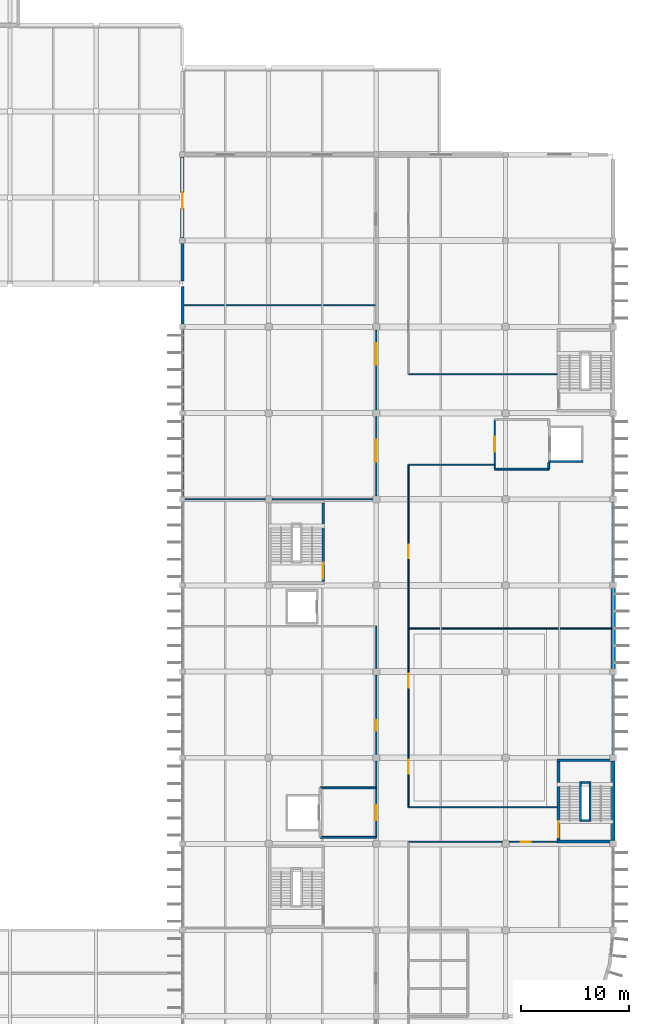
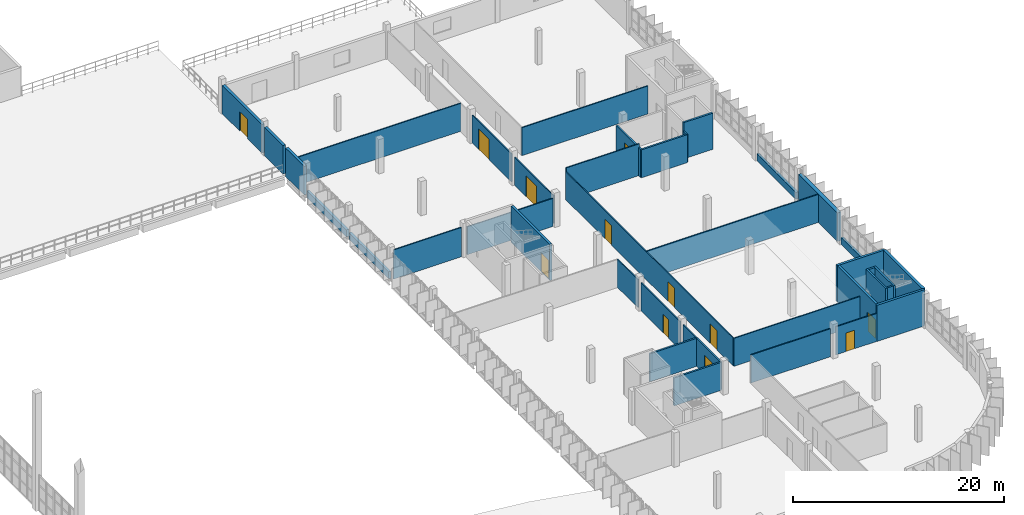
# One storey, part 52 of 66: 39 walls, 12 doors, 12 openings.
"""IFC4 building model written with IfcOpenShell, lengths in metres."""

from ifc_helpers import new_model, si_unit, direction, frame, frame_2d, origin, place, context, subcontext, project, spatial, rectangle, extrude, material, layer, layer_set, type_object, element, fill, save


model = new_model("IFC4")

# Units and contexts
model_context = context("Model", 3, precision=1e-05, world=origin(), true_north=direction((0.0, 1.0)))
body_context = subcontext(model_context, "Body", "Model", "MODEL_VIEW")
ifc_project = project(units=[si_unit("LENGTHUNIT", "METRE"), si_unit("AREAUNIT", "SQUARE_METRE"), si_unit("VOLUMEUNIT", "CUBIC_METRE"), si_unit("PLANEANGLEUNIT", "RADIAN"), si_unit("MASSUNIT", "GRAM", prefix="KILO")], contexts=[model_context])

# Site, building, storey
site_placement = place(None, origin())
site = spatial("IfcSite", under=ifc_project, at=site_placement, CompositionType="ELEMENT")
building_placement = place(site_placement, origin())
building = spatial("IfcBuilding", under=site, at=building_placement, Name="Drelvana Railside Aquatics Centre", CompositionType="ELEMENT")
storey_placement = place(building_placement, frame((0.0, 0.0, 10.199951171875)))
storey = spatial("IfcBuildingStorey", under=building, at=storey_placement, Name="L02", CompositionType="ELEMENT", Elevation=10.199951171875)

# Walls
ifc_material_1 = material(Name="Concrete blockwork compartment wall", Category="masonry")
ifc_layer_1 = layer(ifc_material_1, 0.18505859375, Name="Concrete blockwork compartment wall")
ifc_layer_set_1 = layer_set([ifc_layer_1], Name="Concrete blockwork compartment wall")
wall_type_1 = type_object("IfcWallType", Name="WL-COMP-185", PredefinedType="STANDARD", material=ifc_layer_set_1)
for number, where, z_axis, x_axis, name in (
    (1, (162.0, 32.60009765625, 0.0), (0.0, 0.0, 1.0), (-1.0, 0.0, 0.0), "Firefighting lobby FL-01 S wall (L02)"),
    (2, (156.800048828125, 37.199951171875, 0.0), (0.0, 0.0, 1.0), (1.0, 0.0, 0.0), "Firefighting lobby FL-01 N wall (L02)"),
):
    element("IfcWall", number, at=place(storey_placement, frame(where, z_axis=z_axis, x_axis=x_axis)), inside=storey, type_object=wall_type_1, Name=name, PredefinedType="STANDARD", context=body_context, shape_type="SweptSolid", body=[
        extrude(rectangle(XDim=5.199951171875, YDim=0.18505859375, at=frame_2d((2.60009765625, 0.0))), origin(), (0.0, 0.0, 1.0), 3.239990234375),
    ])

# Wall, opening, door
wall_1_placement = place(storey_placement, frame((162.0, 32.60009765625, 0.0), z_axis=(0.0, 0.0, 1.0), x_axis=(0.0, 1.0, 0.0)))
wall_1 = element("IfcWall", 3, at=wall_1_placement, inside=storey, type_object=wall_type_1, Name="Firefighting lobby FL-01 COR wall (L02)", PredefinedType="STANDARD", context=body_context, shape_type="SweptSolid", body=[
    extrude(rectangle(XDim=4.599853515625, YDim=0.18505859375, at=frame_2d((2.2998046875, 0.0))), origin(), (0.0, 0.0, 1.0), 3.239990234375),
])
opening_1_placement = place(wall_1_placement, frame((1.60009765625, 0.0, 0.0)))
opening_1 = element("IfcOpeningElement", 4, at=opening_1_placement, cuts=wall_1, Name="Opening D-03-048", PredefinedType="OPENING", context=body_context, shape_type="SweptSolid", body=[
    extrude(rectangle(XDim=1.39990234375, YDim=2.199951171875, at=frame_2d((0.699951171875, 1.10009765625))), frame((0.0, 0.1025390625, 0.0), z_axis=(0.0, -1.0, 0.0), x_axis=(1.0, 0.0, 0.0)), (0.0, 0.0, 1.0), 0.205078125),
])
ifc_material_2 = material(Name="Firefighting lobby door", Category="wood")
door_type_1 = type_object("IfcDoorType", Name="DR-INT-FFLOB-1400x2200", OperationType="DOUBLE_DOOR_SINGLE_SWING", PredefinedType="DOOR", material=ifc_material_2)
door_1_placement = place(opening_1_placement, origin())
door_1 = element("IfcDoor", 5, at=door_1_placement, inside=storey, type_object=door_type_1, Name="Firefighting lobby FL-01 door D-03-048", OperationType="DOUBLE_DOOR_SINGLE_SWING", OverallHeight=2.199951171875, OverallWidth=1.39990234375, PredefinedType="DOOR", context=body_context, shape_type="SweptSolid", body=[
    extrude(rectangle(XDim=1.39990234375, YDim=2.199951171875, at=frame_2d((0.699951171875, 1.10009765625))), frame((0.0, 0.02490234375, 0.0), z_axis=(0.0, -1.0, 0.0), x_axis=(1.0, 0.0, 0.0)), (0.0, 0.0, 1.0), 0.050048828125),
])
fill(opening_1, door_1)

# Wall
wall_2_placement = place(storey_placement, frame((178.0, 66.800048828125, 0.0), z_axis=(0.0, 0.0, 1.0), x_axis=(-1.0, 0.0, 0.0)))
element("IfcWall", 6, at=wall_2_placement, inside=storey, type_object=wall_type_1, Name="Firefighting lobby FL-02 S wall (L02)", PredefinedType="STANDARD", context=body_context, shape_type="SweptSolid", body=[
    extrude(rectangle(XDim=5.0, YDim=0.18505859375, at=frame_2d((2.5, 0.0))), origin(), (0.0, 0.0, 1.0), 3.239990234375),
])

# Wall, opening, door
wall_3_placement = place(storey_placement, frame((173.0, 66.800048828125, 0.0), z_axis=(0.0, 0.0, 1.0), x_axis=(0.0, 1.0, 0.0)))
wall_3 = element("IfcWall", 7, at=wall_3_placement, inside=storey, type_object=wall_type_1, Name="Firefighting lobby FL-02 COR wall (L02)", PredefinedType="STANDARD", context=body_context, shape_type="SweptSolid", body=[
    extrude(rectangle(XDim=4.599853515625, YDim=0.18505859375, at=frame_2d((2.2998046875, 0.0))), origin(), (0.0, 0.0, 1.0), 3.239990234375),
])
opening_2_placement = place(wall_3_placement, frame((1.60009765625, 0.0, 0.0)))
opening_2 = element("IfcOpeningElement", 8, at=opening_2_placement, cuts=wall_3, Name="Opening D-03-066", PredefinedType="OPENING", context=body_context, shape_type="SweptSolid", body=[
    extrude(rectangle(XDim=1.39990234375, YDim=2.199951171875, at=frame_2d((0.699951171875, 1.10009765625))), frame((0.0, 0.1025390625, 0.0), z_axis=(0.0, -1.0, 0.0), x_axis=(1.0, 0.0, 0.0)), (0.0, 0.0, 1.0), 0.205078125),
])
door_2_placement = place(opening_2_placement, origin())
door_2 = element("IfcDoor", 9, at=door_2_placement, inside=storey, type_object=door_type_1, Name="Firefighting lobby FL-02 door D-03-066", OperationType="DOUBLE_DOOR_SINGLE_SWING", OverallHeight=2.199951171875, OverallWidth=1.39990234375, PredefinedType="DOOR", context=body_context, shape_type="SweptSolid", body=[
    extrude(rectangle(XDim=1.39990234375, YDim=2.199951171875, at=frame_2d((0.699951171875, 1.10009765625))), frame((0.0, 0.02490234375, 0.0), z_axis=(0.0, -1.0, 0.0), x_axis=(1.0, 0.0, 0.0)), (0.0, 0.0, 1.0), 0.050048828125),
])
fill(opening_2, door_2)

# Wall
wall_4_placement = place(storey_placement, frame((178.0, 66.800048828125, 0.0), z_axis=(0.0, 0.0, 1.0), x_axis=(0.0, 1.0, 0.0)))
element("IfcWall", 10, at=wall_4_placement, inside=storey, type_object=wall_type_1, Name="Firefighting lobby FL-02 SHS wall (L02)", PredefinedType="STANDARD", context=body_context, shape_type="SweptSolid", body=[
    extrude(rectangle(XDim=0.599853515625, YDim=0.18505859375, at=frame_2d((0.2998046875, 0.0))), origin(), (0.0, 0.0, 1.0), 3.239990234375),
])

# Wall, opening, door
ifc_material_3 = material(Name="Concrete C40/50", Category="concrete")
ifc_layer_2 = layer(ifc_material_3, 0.25, Name="Concrete C40/50")
ifc_layer_set_2 = layer_set([ifc_layer_2], Name="Concrete C40/50")
wall_type_2 = type_object("IfcWallType", Name="WL-CORE-250", PredefinedType="SHEAR", material=ifc_layer_set_2)
wall_5_placement = place(storey_placement, frame((157.074951171875, 56.35009765625, 0.0), z_axis=(0.0, 0.0, 1.0), x_axis=(0.0, 1.0, 0.0)))
wall_5 = element("IfcWall", 11, at=wall_5_placement, inside=storey, type_object=wall_type_2, Name="Core 8 Federation Wing Central-West E core wall (L02)", PredefinedType="SHEAR", context=body_context, shape_type="SweptSolid", body=[
    extrude(rectangle(XDim=7.2998046875, YDim=0.25, at=frame_2d((3.64990234375, 0.0))), origin(), (0.0, 0.0, 1.0), 4.199951171875),
])
opening_3_placement = place(wall_5_placement, frame((0.25, 0.0, 0.0)))
opening_3 = element("IfcOpeningElement", 12, at=opening_3_placement, cuts=wall_5, Name="Opening D-01-074", PredefinedType="OPENING", context=body_context, shape_type="SweptSolid", body=[
    extrude(rectangle(XDim=1.449951171875, YDim=2.199951171875, at=frame_2d((0.72509765625, 1.10009765625))), frame((0.0, 0.135009765625, 0.0), z_axis=(0.0, -1.0, 0.0), x_axis=(1.0, 0.0, 0.0)), (0.0, 0.0, 1.0), 0.27001953125),
])
ifc_material_4 = material(Name="Fire-rated steel and vision-panel door", Category="steel")
door_type_2 = type_object("IfcDoorType", Name="DR-INT-STAIR-1450x2200", OperationType="DOUBLE_DOOR_SINGLE_SWING", PredefinedType="DOOR", material=ifc_material_4)
door_3_placement = place(opening_3_placement, origin())
door_3 = element("IfcDoor", 13, at=door_3_placement, inside=storey, type_object=door_type_2, Name="Stair ST-08 lobby door D-01-074", OperationType="DOUBLE_DOOR_SINGLE_SWING", OverallHeight=2.199951171875, OverallWidth=1.449951171875, PredefinedType="DOOR", context=body_context, shape_type="SweptSolid", body=[
    extrude(rectangle(XDim=1.449951171875, YDim=2.199951171875, at=frame_2d((0.72509765625, 1.10009765625))), frame((0.0, 0.02490234375, 0.0), z_axis=(0.0, -1.0, 0.0), x_axis=(1.0, 0.0, 0.0)), (0.0, 0.0, 1.0), 0.050048828125),
])
fill(opening_3, door_3)

# Walls
for number, where, z_axis, x_axis, name in (
    (14, (178.800048828125, 32.22509765625, 0.0), (0.0, 0.0, 1.0), (1.0, 0.0, 0.0), "Core 9 Federation Wing Avenue-South S core wall (L02)"),
    (15, (178.800048828125, 39.77490234375, 0.0), (0.0, 0.0, 1.0), (1.0, 0.0, 0.0), "Core 9 Federation Wing Avenue-South N core wall (L02)"),
):
    element("IfcWall", number, at=place(storey_placement, frame(where, z_axis=z_axis, x_axis=x_axis)), inside=storey, type_object=wall_type_2, Name=name, PredefinedType="SHEAR", context=body_context, shape_type="SweptSolid", body=[
        extrude(rectangle(XDim=5.199951171875, YDim=0.25, at=frame_2d((2.60009765625, 0.0))), origin(), (0.0, 0.0, 1.0), 4.199951171875),
    ])

# Wall, opening, door
wall_6_placement = place(storey_placement, frame((178.925048828125, 32.35009765625, 0.0), z_axis=(0.0, 0.0, 1.0), x_axis=(0.0, 1.0, 0.0)))
wall_6 = element("IfcWall", 16, at=wall_6_placement, inside=storey, type_object=wall_type_2, Name="Core 9 Federation Wing Avenue-South W core wall (L02)", PredefinedType="SHEAR", context=body_context, shape_type="SweptSolid", body=[
    extrude(rectangle(XDim=7.2998046875, YDim=0.25, at=frame_2d((3.64990234375, 0.0))), origin(), (0.0, 0.0, 1.0), 4.199951171875),
])
opening_4_placement = place(wall_6_placement, frame((0.25, 0.0, 0.0)))
opening_4 = element("IfcOpeningElement", 17, at=opening_4_placement, cuts=wall_6, Name="Opening D-01-086", PredefinedType="OPENING", context=body_context, shape_type="SweptSolid", body=[
    extrude(rectangle(XDim=1.449951171875, YDim=2.199951171875, at=frame_2d((0.72509765625, 1.10009765625))), frame((0.0, 0.135009765625, 0.0), z_axis=(0.0, -1.0, 0.0), x_axis=(1.0, 0.0, 0.0)), (0.0, 0.0, 1.0), 0.27001953125),
])
door_4_placement = place(opening_4_placement, origin())
door_4 = element("IfcDoor", 18, at=door_4_placement, inside=storey, type_object=door_type_2, Name="Stair ST-09 lobby door D-01-086", OperationType="DOUBLE_DOOR_SINGLE_SWING", OverallHeight=2.199951171875, OverallWidth=1.449951171875, PredefinedType="DOOR", context=body_context, shape_type="SweptSolid", body=[
    extrude(rectangle(XDim=1.449951171875, YDim=2.199951171875, at=frame_2d((0.72509765625, 1.10009765625))), frame((0.0, 0.02490234375, 0.0), z_axis=(0.0, -1.0, 0.0), x_axis=(1.0, 0.0, 0.0)), (0.0, 0.0, 1.0), 0.050048828125),
])
fill(opening_4, door_4)

# Walls
ifc_layer_3 = layer(ifc_material_3, 0.300048828125, Name="Concrete C40/50")
ifc_layer_set_3 = layer_set([ifc_layer_3], Name="Concrete C40/50")
wall_type_3 = type_object("IfcWallType", Name="WL-CORE-300", PredefinedType="SHEAR", material=ifc_layer_set_3)
wall_7_placement = place(storey_placement, frame((184.0, 32.2958984375, 0.0), z_axis=(0.0, 0.0, 1.0), x_axis=(0.0, 1.0, 0.0)))
element("IfcWall", 19, at=wall_7_placement, inside=storey, type_object=wall_type_3, Name="Core east avenue shear wall 32 (L02)", PredefinedType="SHEAR", context=body_context, shape_type="SweptSolid", body=[
    extrude(rectangle(XDim=7.408203125, YDim=0.300048828125, at=frame_2d((3.7041015625, 0.0))), origin(), (0.0, 0.0, 1.0), 4.199951171875),
])
ifc_material_5 = material(Name="Acoustic twin-stud gypsum partition", Category="gypsum")
ifc_layer_4 = layer(ifc_material_5, 0.1201171875, Name="Acoustic twin-stud gypsum partition")
ifc_layer_set_4 = layer_set([ifc_layer_4], Name="Acoustic twin-stud gypsum partition")
wall_type_4 = type_object("IfcWallType", Name="WL-DRY-120", PredefinedType="PARTITIONING", material=ifc_layer_set_4)
wall_8_placement = place(storey_placement, frame((162.0, 37.199951171875, 0.0), z_axis=(0.0, 0.0, 1.0), x_axis=(0.0, 1.0, 0.0)))
element("IfcWall", 20, at=wall_8_placement, inside=storey, type_object=wall_type_4, Name="V5 L02 west corridor wall", PredefinedType="PARTITIONING", context=body_context, shape_type="SweptSolid", body=[
    extrude(rectangle(XDim=2.498046875, YDim=0.1201171875, at=frame_2d((1.2490234375, 0.0))), origin(), (0.0, 0.0, 1.0), 3.239990234375),
])

# Wall, opening, door
wall_9_placement = place(storey_placement, frame((162.0, 40.302001953125, 0.0), z_axis=(0.0, 0.0, 1.0), x_axis=(0.0, 1.0, 0.0)))
wall_9 = element("IfcWall", 21, at=wall_9_placement, inside=storey, type_object=wall_type_4, Name="V5 L02 west corridor wall", PredefinedType="PARTITIONING", context=body_context, shape_type="SweptSolid", body=[
    extrude(rectangle(XDim=7.39599609375, YDim=0.1201171875, at=frame_2d((3.697998046875, 0.0))), origin(), (0.0, 0.0, 1.0), 3.239990234375),
])
opening_5_placement = place(wall_9_placement, frame((2.197998046875, 0.0, 0.0)))
opening_5 = element("IfcOpeningElement", 22, at=opening_5_placement, cuts=wall_9, Name="Opening D-09-225", PredefinedType="OPENING", context=body_context, shape_type="SweptSolid", body=[
    extrude(rectangle(XDim=1.0, YDim=2.14990234375, at=frame_2d((0.5, 1.074951171875))), frame((0.0, 0.070068359375, 0.0), z_axis=(0.0, -1.0, 0.0), x_axis=(1.0, 0.0, 0.0)), (0.0, 0.0, 1.0), 0.14013671875),
])
ifc_material_6 = material(Name="Hardwood acoustic room door", Category="wood")
door_type_3 = type_object("IfcDoorType", Name="DR-INT-ROOM-1000x2150", OperationType="NOTDEFINED", PredefinedType="DOOR", material=ifc_material_6)
door_5_placement = place(opening_5_placement, origin())
door_5 = element("IfcDoor", 23, at=door_5_placement, inside=storey, type_object=door_type_3, Name="Yoga studio door D-09-225", OperationType="SINGLE_SWING_RIGHT", OverallHeight=2.14990234375, OverallWidth=1.0, PredefinedType="DOOR", context=body_context, shape_type="SweptSolid", body=[
    extrude(rectangle(XDim=1.0, YDim=2.14990234375, at=frame_2d((0.5, 1.074951171875))), frame((0.0, 0.02490234375, 0.0), z_axis=(0.0, -1.0, 0.0), x_axis=(1.0, 0.0, 0.0)), (0.0, 0.0, 1.0), 0.050048828125),
])
fill(opening_5, door_5)

# Wall
wall_10_placement = place(storey_placement, frame((162.0, 48.302001953125, 0.0), z_axis=(0.0, 0.0, 1.0), x_axis=(0.0, 1.0, 0.0)))
element("IfcWall", 24, at=wall_10_placement, inside=storey, type_object=wall_type_4, Name="V5 L02 west corridor wall", PredefinedType="PARTITIONING", context=body_context, shape_type="SweptSolid", body=[
    extrude(rectangle(XDim=3.89794921875, YDim=0.1201171875, at=frame_2d((1.948974609375, 0.0))), origin(), (0.0, 0.0, 1.0), 3.239990234375),
])

# Wall, opening, door
wall_11_placement = place(storey_placement, frame((162.0, 64.302001953125, 0.0), z_axis=(0.0, 0.0, 1.0), x_axis=(0.0, 1.0, 0.0)))
wall_11 = element("IfcWall", 25, at=wall_11_placement, inside=storey, type_object=wall_type_4, Name="V5 L02 west corridor wall", PredefinedType="PARTITIONING", context=body_context, shape_type="SweptSolid", body=[
    extrude(rectangle(XDim=7.39599609375, YDim=0.1201171875, at=frame_2d((3.697998046875, 0.0))), origin(), (0.0, 0.0, 1.0), 3.239990234375),
])
opening_6_placement = place(wall_11_placement, frame((3.197998046875, 0.0, 0.0)))
opening_6 = element("IfcOpeningElement", 26, at=opening_6_placement, cuts=wall_11, Name="Opening D-06-226", PredefinedType="OPENING", context=body_context, shape_type="SweptSolid", body=[
    extrude(rectangle(XDim=2.0, YDim=2.39990234375, at=frame_2d((1.0, 1.199951171875))), frame((0.0, 0.070068359375, 0.0), z_axis=(0.0, -1.0, 0.0), x_axis=(1.0, 0.0, 0.0)), (0.0, 0.0, 1.0), 0.14013671875),
])
ifc_material_7 = material(Name="Glazed bronze-aluminium concourse door", Category="aluminium")
door_type_4 = type_object("IfcDoorType", Name="DR-INT-HALL-2000x2400", OperationType="DOUBLE_DOOR_SINGLE_SWING", PredefinedType="DOOR", material=ifc_material_7)
door_6_placement = place(opening_6_placement, origin())
door_6 = element("IfcDoor", 27, at=door_6_placement, inside=storey, type_object=door_type_4, Name="Relaxation tea lounge south door D-06-226", OperationType="DOUBLE_DOOR_SINGLE_SWING", OverallHeight=2.39990234375, OverallWidth=2.0, PredefinedType="DOOR", context=body_context, shape_type="SweptSolid", body=[
    extrude(rectangle(XDim=2.0, YDim=2.39990234375, at=frame_2d((1.0, 1.199951171875))), frame((0.0, 0.02490234375, 0.0), z_axis=(0.0, -1.0, 0.0), x_axis=(1.0, 0.0, 0.0)), (0.0, 0.0, 1.0), 0.050048828125),
])
fill(opening_6, door_6)

wall_12_placement = place(storey_placement, frame((162.0, 72.302001953125, 0.0), z_axis=(0.0, 0.0, 1.0), x_axis=(0.0, 1.0, 0.0)))
wall_12 = element("IfcWall", 28, at=wall_12_placement, inside=storey, type_object=wall_type_4, Name="V5 L02 west corridor wall", PredefinedType="PARTITIONING", context=body_context, shape_type="SweptSolid", body=[
    extrude(rectangle(XDim=7.39599609375, YDim=0.1201171875, at=frame_2d((3.697998046875, 0.0))), origin(), (0.0, 0.0, 1.0), 3.239990234375),
])
opening_7_placement = place(wall_12_placement, frame((4.197998046875, 0.0, 0.0)))
opening_7 = element("IfcOpeningElement", 29, at=opening_7_placement, cuts=wall_12, Name="Opening D-06-227", PredefinedType="OPENING", context=body_context, shape_type="SweptSolid", body=[
    extrude(rectangle(XDim=2.0, YDim=2.39990234375, at=frame_2d((1.0, 1.199951171875))), frame((0.0, 0.070068359375, 0.0), z_axis=(0.0, -1.0, 0.0), x_axis=(1.0, 0.0, 0.0)), (0.0, 0.0, 1.0), 0.14013671875),
])
door_7_placement = place(opening_7_placement, origin())
door_7 = element("IfcDoor", 30, at=door_7_placement, inside=storey, type_object=door_type_4, Name="Relaxation tea lounge north door D-06-227", OperationType="DOUBLE_DOOR_SINGLE_SWING", OverallHeight=2.39990234375, OverallWidth=2.0, PredefinedType="DOOR", context=body_context, shape_type="SweptSolid", body=[
    extrude(rectangle(XDim=2.0, YDim=2.39990234375, at=frame_2d((1.0, 1.199951171875))), frame((0.0, 0.02490234375, 0.0), z_axis=(0.0, -1.0, 0.0), x_axis=(1.0, 0.0, 0.0)), (0.0, 0.0, 1.0), 0.050048828125),
])
fill(opening_7, door_7)

# Walls
wall_13_placement = place(storey_placement, frame((144.251953125, 64.0, 0.0), z_axis=(0.0, 0.0, 1.0), x_axis=(1.0, 0.0, 0.0)))
element("IfcWall", 31, at=wall_13_placement, inside=storey, type_object=wall_type_4, Name="V5 L02 C8 alcove N wall", PredefinedType="PARTITIONING", context=body_context, shape_type="SweptSolid", body=[
    extrude(rectangle(XDim=7.446044921875, YDim=0.1201171875, at=frame_2d((3.72314453125, 0.0))), origin(), (0.0, 0.0, 1.0), 3.39013671875),
])
wall_14_placement = place(storey_placement, frame((152.302001953125, 64.0, 0.0), z_axis=(0.0, 0.0, 1.0), x_axis=(1.0, 0.0, 0.0)))
element("IfcWall", 32, at=wall_14_placement, inside=storey, type_object=wall_type_4, Name="V5 L02 C8 alcove N wall", PredefinedType="PARTITIONING", context=body_context, shape_type="SweptSolid", body=[
    extrude(rectangle(XDim=9.39599609375, YDim=0.1201171875, at=frame_2d((4.697998046875, 0.0))), origin(), (0.0, 0.0, 1.0), 3.239990234375),
])
wall_15_placement = place(storey_placement, frame((144.14990234375, 82.0, 0.0), z_axis=(0.0, 0.0, 1.0), x_axis=(1.0, 0.0, 0.0)))
element("IfcWall", 33, at=wall_15_placement, inside=storey, type_object=wall_type_4, Name="V5 L02 west room divider", PredefinedType="PARTITIONING", context=body_context, shape_type="SweptSolid", body=[
    extrude(rectangle(XDim=17.85009765625, YDim=0.1201171875, at=frame_2d((8.925048828125, 0.0))), origin(), (0.0, 0.0, 1.0), 3.239990234375),
])

# Wall, openings, doors
wall_16_placement = place(storey_placement, frame((165.0, 35.39990234375, 0.0), z_axis=(0.0, 0.0, 1.0), x_axis=(0.0, 1.0, 0.0)))
wall_16 = element("IfcWall", 34, at=wall_16_placement, inside=storey, type_object=wall_type_4, Name="V5 L02 east corridor wall", PredefinedType="PARTITIONING", context=body_context, shape_type="SweptSolid", body=[
    extrude(rectangle(XDim=31.800048828125, YDim=0.1201171875, at=frame_2d((15.89990234375, 0.0))), origin(), (0.0, 0.0, 1.0), 3.239990234375),
])
opening_8_placement = place(wall_16_placement, frame((3.10009765625, 0.0, 0.0)))
opening_8 = element("IfcOpeningElement", 35, at=opening_8_placement, cuts=wall_16, Name="Opening D-14-232", PredefinedType="OPENING", context=body_context, shape_type="SweptSolid", body=[
    extrude(rectangle(XDim=1.300048828125, YDim=2.25, at=frame_2d((0.64990234375, 1.125))), frame((0.0, 0.070068359375, 0.0), z_axis=(0.0, -1.0, 0.0), x_axis=(1.0, 0.0, 0.0)), (0.0, 0.0, 1.0), 0.14013671875),
])
opening_9_placement = place(wall_16_placement, frame((11.10009765625, 0.0, 0.0)))
opening_9 = element("IfcOpeningElement", 36, at=opening_9_placement, cuts=wall_16, Name="Opening D-14-233", PredefinedType="OPENING", context=body_context, shape_type="SweptSolid", body=[
    extrude(rectangle(XDim=1.300048828125, YDim=2.25, at=frame_2d((0.64990234375, 1.125))), frame((0.0, 0.070068359375, 0.0), z_axis=(0.0, -1.0, 0.0), x_axis=(1.0, 0.0, 0.0)), (0.0, 0.0, 1.0), 0.14013671875),
])
opening_10_placement = place(wall_16_placement, frame((23.10009765625, 0.0, 0.0)))
opening_10 = element("IfcOpeningElement", 37, at=opening_10_placement, cuts=wall_16, Name="Opening D-20-234", PredefinedType="OPENING", context=body_context, shape_type="SweptSolid", body=[
    extrude(rectangle(XDim=1.25, YDim=2.25, at=frame_2d((0.625, 1.125))), frame((0.0, 0.070068359375, 0.0), z_axis=(0.0, -1.0, 0.0), x_axis=(1.0, 0.0, 0.0)), (0.0, 0.0, 1.0), 0.14013671875),
])
ifc_material_8 = material(Name="Hydrotherapy glazed suite door", Category="wood")
door_type_5 = type_object("IfcDoorType", Name="DR-INT-SPA-1250x2250", OperationType="NOTDEFINED", PredefinedType="DOOR", material=ifc_material_8)
door_8_placement = place(opening_10_placement, origin())
door_8 = element("IfcDoor", 38, at=door_8_placement, inside=storey, type_object=door_type_5, Name="Sauna and steam suite door D-20-234", OperationType="SINGLE_SWING_LEFT", OverallHeight=2.25, OverallWidth=1.25, PredefinedType="DOOR", context=body_context, shape_type="SweptSolid", body=[
    extrude(rectangle(XDim=1.25, YDim=2.25, at=frame_2d((0.625, 1.125))), frame((0.0, 0.02490234375, 0.0), z_axis=(0.0, -1.0, 0.0), x_axis=(1.0, 0.0, 0.0)), (0.0, 0.0, 1.0), 0.050048828125),
])
fill(opening_10, door_8)
ifc_material_9 = material(Name="Tempered glass wellness spa door", Category="glass")
door_type_6 = type_object("IfcDoorType", Name="DR-INT-SPA-1300x2250", OperationType="NOTDEFINED", PredefinedType="DOOR", material=ifc_material_9)
door_9_placement = place(opening_8_placement, origin())
door_9 = element("IfcDoor", 39, at=door_9_placement, inside=storey, type_object=door_type_6, Name="Thermal wellness spa south door D-14-232", OperationType="SINGLE_SWING_LEFT", OverallHeight=2.25, OverallWidth=1.300048828125, PredefinedType="DOOR", context=body_context, shape_type="SweptSolid", body=[
    extrude(rectangle(XDim=1.300048828125, YDim=2.25, at=frame_2d((0.64990234375, 1.125))), frame((0.0, 0.02490234375, 0.0), z_axis=(0.0, -1.0, 0.0), x_axis=(1.0, 0.0, 0.0)), (0.0, 0.0, 1.0), 0.050048828125),
])
fill(opening_8, door_9)
door_10_placement = place(opening_9_placement, origin())
door_10 = element("IfcDoor", 40, at=door_10_placement, inside=storey, type_object=door_type_6, Name="Thermal wellness spa north door D-14-233", OperationType="SINGLE_SWING_RIGHT", OverallHeight=2.25, OverallWidth=1.300048828125, PredefinedType="DOOR", context=body_context, shape_type="SweptSolid", body=[
    extrude(rectangle(XDim=1.300048828125, YDim=2.25, at=frame_2d((0.64990234375, 1.125))), frame((0.0, 0.02490234375, 0.0), z_axis=(0.0, -1.0, 0.0), x_axis=(1.0, 0.0, 0.0)), (0.0, 0.0, 1.0), 0.050048828125),
])
fill(opening_9, door_10)

# Wall
wall_17_placement = place(storey_placement, frame((165.0, 32.199951171875, 0.0), z_axis=(0.0, 0.0, 1.0), x_axis=(1.0, 0.0, 0.0)))
element("IfcWall", 41, at=wall_17_placement, inside=storey, type_object=wall_type_4, Name="L02 C9 branch S wall", PredefinedType="PARTITIONING", context=body_context, shape_type="SweptSolid", body=[
    extrude(rectangle(XDim=8.697998046875, YDim=0.1201171875, at=frame_2d((4.34912109375, 0.0))), origin(), (0.0, 0.0, 1.0), 3.239990234375),
])

# Wall, opening, door
wall_18_placement = place(storey_placement, frame((174.302001953125, 32.199951171875, 0.0), z_axis=(0.0, 0.0, 1.0), x_axis=(1.0, 0.0, 0.0)))
wall_18 = element("IfcWall", 42, at=wall_18_placement, inside=storey, type_object=wall_type_4, Name="L02 C9 branch S wall", PredefinedType="PARTITIONING", context=body_context, shape_type="SweptSolid", body=[
    extrude(rectangle(XDim=4.498046875, YDim=0.1201171875, at=frame_2d((2.2490234375, 0.0))), origin(), (0.0, 0.0, 1.0), 3.239990234375),
])
opening_11_placement = place(wall_18_placement, frame((1.097900390625, 0.0, 0.0)))
opening_11 = element("IfcOpeningElement", 43, at=opening_11_placement, cuts=wall_18, Name="Opening D-10-237", PredefinedType="OPENING", context=body_context, shape_type="SweptSolid", body=[
    extrude(rectangle(XDim=0.949951171875, YDim=2.14990234375, at=frame_2d((0.47509765625, 1.074951171875))), frame((0.0, 0.070068359375, 0.0), z_axis=(0.0, -1.0, 0.0), x_axis=(1.0, 0.0, 0.0)), (0.0, 0.0, 1.0), 0.14013671875),
])
ifc_material_10 = material(Name="Timber veneer office door", Category="wood")
door_type_7 = type_object("IfcDoorType", Name="DR-INT-OFF-950x2150", OperationType="NOTDEFINED", PredefinedType="DOOR", material=ifc_material_10)
door_11_placement = place(opening_11_placement, origin())
door_11 = element("IfcDoor", 44, at=door_11_placement, inside=storey, type_object=door_type_7, Name="Wellness treatment suite door D-10-237", OperationType="SINGLE_SWING_RIGHT", OverallHeight=2.14990234375, OverallWidth=0.949951171875, PredefinedType="DOOR", context=body_context, shape_type="SweptSolid", body=[
    extrude(rectangle(XDim=0.949951171875, YDim=2.14990234375, at=frame_2d((0.47509765625, 1.074951171875))), frame((0.0, 0.02490234375, 0.0), z_axis=(0.0, -1.0, 0.0), x_axis=(1.0, 0.0, 0.0)), (0.0, 0.0, 1.0), 0.050048828125),
])
fill(opening_11, door_11)

# Walls
wall_19_placement = place(storey_placement, frame((165.0, 35.39990234375, 0.0), z_axis=(0.0, 0.0, 1.0), x_axis=(1.0, 0.0, 0.0)))
element("IfcWall", 45, at=wall_19_placement, inside=storey, type_object=wall_type_4, Name="L02 C9 branch N wall", PredefinedType="PARTITIONING", context=body_context, shape_type="SweptSolid", body=[
    extrude(rectangle(XDim=13.800048828125, YDim=0.1201171875, at=frame_2d((6.89990234375, 0.0))), origin(), (0.0, 0.0, 1.0), 3.239990234375),
])
wall_20_placement = place(storey_placement, frame((165.0, 67.199951171875, 0.0), z_axis=(0.0, 0.0, 1.0), x_axis=(1.0, 0.0, 0.0)))
element("IfcWall", 46, at=wall_20_placement, inside=storey, type_object=wall_type_4, Name="L02 C7 branch S wall", PredefinedType="PARTITIONING", context=body_context, shape_type="SweptSolid", body=[
    extrude(rectangle(XDim=8.0, YDim=0.1201171875, at=frame_2d((4.0, 0.0))), origin(), (0.0, 0.0, 1.0), 3.670166015625),
])
wall_21_placement = place(storey_placement, frame((165.0, 75.60009765625, 0.0), z_axis=(0.0, 0.0, 1.0), x_axis=(1.0, 0.0, 0.0)))
element("IfcWall", 47, at=wall_21_placement, inside=storey, type_object=wall_type_4, Name="L02 C7 branch N wall", PredefinedType="PARTITIONING", context=body_context, shape_type="SweptSolid", body=[
    extrude(rectangle(XDim=13.800048828125, YDim=0.1201171875, at=frame_2d((6.89990234375, 0.0))), origin(), (0.0, 0.0, 1.0), 3.239990234375),
])
wall_22_placement = place(storey_placement, frame((165.0, 52.0, 0.0), z_axis=(0.0, 0.0, 1.0), x_axis=(1.0, 0.0, 0.0)))
element("IfcWall", 48, at=wall_22_placement, inside=storey, type_object=wall_type_4, Name="L02 East room divider", PredefinedType="PARTITIONING", context=body_context, shape_type="SweptSolid", body=[
    extrude(rectangle(XDim=18.840087890625, YDim=0.1201171875, at=frame_2d((9.419921875, 0.0))), origin(), (0.0, 0.0, 1.0), 3.239990234375),
])
ifc_material_11 = material(Name="Glazed ceramic spandrel wall", Category="masonry")
ifc_layer_5 = layer(ifc_material_11, 0.27001953125, Name="Glazed ceramic spandrel wall")
ifc_layer_set_5 = layer_set([ifc_layer_5], Name="Glazed ceramic spandrel wall")
wall_type_5 = type_object("IfcWallType", Name="WL-EXT-270", PredefinedType="STANDARD", material=ifc_layer_set_5)
for number, where, z_axis, x_axis, name in (
    (49, (144.0, 64.24609375, 0.0), (0.0, 0.0, 1.0), (0.0, 1.0, 0.0), "V5 West L02 sill spandrel"),
    (50, (144.0, 72.24609375, 0.0), (0.0, 0.0, 1.0), (0.0, 1.0, 0.0), "V5 West L02 sill spandrel"),
):
    element("IfcWall", number, at=place(storey_placement, frame(where, z_axis=z_axis, x_axis=x_axis)), inside=storey, type_object=wall_type_5, Name=name, PredefinedType="STANDARD", context=body_context, shape_type="SweptSolid", body=[
        extrude(rectangle(XDim=7.5078125, YDim=0.27001953125, at=frame_2d((3.75390625, 0.0))), origin(), (0.0, 0.0, 1.0), 0.800048828125),
    ])
for number, where, z_axis, x_axis, name in (
    (51, (184.0, 40.2958984375, 0.0), (0.0, 0.0, 1.0), (0.0, 1.0, 0.0), "V5 East L02 sill spandrel"),
    (52, (184.0, 56.2958984375, 0.0), (0.0, 0.0, 1.0), (0.0, 1.0, 0.0), "V5 East L02 sill spandrel"),
):
    element("IfcWall", number, at=place(storey_placement, frame(where, z_axis=z_axis, x_axis=x_axis)), inside=storey, type_object=wall_type_5, Name=name, PredefinedType="STANDARD", context=body_context, shape_type="SweptSolid", body=[
        extrude(rectangle(XDim=7.408203125, YDim=0.27001953125, at=frame_2d((3.7041015625, 0.0))), origin(), (0.0, 0.0, 1.0), 0.800048828125),
    ])
ifc_material_12 = material(Name="Glazed ceramic and masonry facade wall", Category="masonry")
ifc_layer_6 = layer(ifc_material_12, 0.2900390625, Name="Glazed ceramic and masonry facade wall")
ifc_layer_set_6 = layer_set([ifc_layer_6], Name="Glazed ceramic and masonry facade wall")
wall_type_6 = type_object("IfcWallType", Name="WL-EXT-290", PredefinedType="STANDARD", material=ifc_layer_set_6)
for number, where, z_axis, x_axis, name in (
    (53, (144.0, 80.24609375, 0.0), (0.0, 0.0, 1.0), (0.0, 1.0, 0.0), "V5 West pier wall 80"),
    (54, (144.0, 84.24609375, 0.0), (0.0, 0.0, 1.0), (0.0, 1.0, 0.0), "V5 West pier wall 84"),
):
    element("IfcWall", number, at=place(storey_placement, frame(where, z_axis=z_axis, x_axis=x_axis)), inside=storey, type_object=wall_type_6, Name=name, PredefinedType="STANDARD", context=body_context, shape_type="SweptSolid", body=[
        extrude(rectangle(XDim=3.5078125, YDim=0.2900390625, at=frame_2d((1.75390625, 0.0))), origin(), (0.0, 0.0, 1.0), 3.300048828125),
    ])

# Wall, opening, door
ifc_material_13 = material(Name="Terracotta rainscreen masonry wall", Category="masonry")
ifc_layer_7 = layer(ifc_material_13, 0.31005859375, Name="Terracotta rainscreen masonry wall")
ifc_layer_set_7 = layer_set([ifc_layer_7], Name="Terracotta rainscreen masonry wall")
wall_type_7 = type_object("IfcWallType", Name="WL-EXT-310", PredefinedType="STANDARD", material=ifc_layer_set_7)
wall_23_placement = place(storey_placement, frame((144.0, 88.24609375, 0.0), z_axis=(0.0, 0.0, 1.0), x_axis=(0.0, 1.0, 0.0)))
wall_23 = element("IfcWall", 55, at=wall_23_placement, inside=storey, type_object=wall_type_7, Name="Sun Lounge west terrace wall", PredefinedType="STANDARD", context=body_context, shape_type="SweptSolid", body=[
    extrude(rectangle(XDim=7.5078125, YDim=0.31005859375, at=frame_2d((3.75390625, 0.0))), origin(), (0.0, 0.0, 1.0), 3.300048828125),
])
opening_12_placement = place(wall_23_placement, frame((2.73388671875, 0.0, 0.0)))
opening_12 = element("IfcOpeningElement", 56, at=opening_12_placement, cuts=wall_23, Name="Opening EX-11-020", PredefinedType="OPENING", context=body_context, shape_type="SweptSolid", body=[
    extrude(rectangle(XDim=1.5, YDim=2.25, at=frame_2d((0.75, 1.125))), frame((0.0, 0.1650390625, 0.0), z_axis=(0.0, -1.0, 0.0), x_axis=(1.0, 0.0, 0.0)), (0.0, 0.0, 1.0), 0.330078125),
])
ifc_material_14 = material(Name="Thermally broken bronze-anodised aluminium and glazed door", Category="aluminium")
door_type_8 = type_object("IfcDoorType", Name="DR-EXT-TER-1500x2250", OperationType="DOUBLE_DOOR_SINGLE_SWING", PredefinedType="DOOR", material=ifc_material_14)
door_12_placement = place(opening_12_placement, origin())
door_12 = element("IfcDoor", 57, at=door_12_placement, inside=storey, type_object=door_type_8, Name="Sun Lounge Roof-Garden Terrace door EX-11-020", OperationType="DOUBLE_DOOR_SINGLE_SWING", OverallHeight=2.25, OverallWidth=1.5, PredefinedType="DOOR", context=body_context, shape_type="SweptSolid", body=[
    extrude(rectangle(XDim=1.5, YDim=2.25, at=frame_2d((0.75, 1.125))), frame((0.0, 0.02490234375, 0.0), z_axis=(0.0, -1.0, 0.0), x_axis=(1.0, 0.0, 0.0)), (0.0, 0.0, 1.0), 0.050048828125),
])
fill(opening_12, door_12)

# Walls
ifc_material_15 = material(Name="Heavy thermal-mass stone facade wall", Category="masonry")
ifc_layer_8 = layer(ifc_material_15, 0.389892578125, Name="Heavy thermal-mass stone facade wall")
ifc_layer_set_8 = layer_set([ifc_layer_8], Name="Heavy thermal-mass stone facade wall")
wall_type_8 = type_object("IfcWallType", Name="WL-EXT-390", PredefinedType="STANDARD", material=ifc_layer_set_8)
wall_24_placement = place(storey_placement, frame((184.0, 48.2958984375, 0.0), z_axis=(0.0, 0.0, 1.0), x_axis=(0.0, 1.0, 0.0)))
element("IfcWall", 58, at=wall_24_placement, inside=storey, type_object=wall_type_8, Name="V5 East braced masonry bay (L02)", PredefinedType="STANDARD", context=body_context, shape_type="SweptSolid", body=[
    extrude(rectangle(XDim=7.408203125, YDim=0.389892578125, at=frame_2d((3.7041015625, 0.0))), origin(), (0.0, 0.0, 1.0), 3.300048828125),
])
ifc_layer_9 = layer(ifc_material_3, 0.199951171875, Name="Concrete C40/50")
ifc_layer_set_9 = layer_set([ifc_layer_9], Name="Concrete C40/50")
wall_type_9 = type_object("IfcWallType", Name="WL-SHFT-200", PredefinedType="SHEAR", material=ifc_layer_set_9)
wall_25_placement = place(storey_placement, frame((178.0, 67.5, 0.0), z_axis=(0.0, 0.0, 1.0), x_axis=(1.0, 0.0, 0.0)))
element("IfcWall", 59, at=wall_25_placement, inside=storey, type_object=wall_type_9, Name="Lift FL-02 S shaft wall (L02)", PredefinedType="SHEAR", context=body_context, shape_type="SweptSolid", body=[
    extrude(rectangle(XDim=3.199951171875, YDim=0.199951171875, at=frame_2d((1.60009765625, 0.0))), origin(), (0.0, 0.0, 1.0), 4.199951171875),
])
for number, where, z_axis, x_axis, name in (
    (60, (180.969970703125, 34.090087890625, 0.0), (0.0, 0.0, 1.0), (0.0, 1.0, 0.0), "Stair ST-09 central spine wall A (L02)"),
    (61, (181.830078125, 34.090087890625, 0.0), (0.0, 0.0, 1.0), (0.0, 1.0, 0.0), "Stair ST-09 central spine wall B (L02)"),
):
    element("IfcWall", number, at=place(storey_placement, frame(where, z_axis=z_axis, x_axis=x_axis)), inside=storey, type_object=wall_type_9, Name=name, PredefinedType="SHEAR", context=body_context, shape_type="SweptSolid", body=[
        extrude(rectangle(XDim=3.719970703125, YDim=0.199951171875, at=frame_2d((1.85986328125, 0.0))), origin(), (0.0, 0.0, 1.0), 4.199951171875),
    ])
for number, where, z_axis, x_axis, name in (
    (62, (181.070068359375, 34.18994140625, 0.0), (0.0, 0.0, 1.0), (1.0, 0.0, 0.0), "Stair ST-09 central spine wall S (L02)"),
    (63, (181.070068359375, 37.7099609375, 0.0), (0.0, 0.0, 1.0), (1.0, 0.0, 0.0), "Stair ST-09 central spine wall N (L02)"),
):
    element("IfcWall", number, at=place(storey_placement, frame(where, z_axis=z_axis, x_axis=x_axis)), inside=storey, type_object=wall_type_9, Name=name, PredefinedType="SHEAR", context=body_context, shape_type="SweptSolid", body=[
        extrude(rectangle(XDim=0.659912109375, YDim=0.199951171875, at=frame_2d((0.330078125, 0.0))), origin(), (0.0, 0.0, 1.0), 4.199951171875),
    ])

save(model, "model.ifc")
